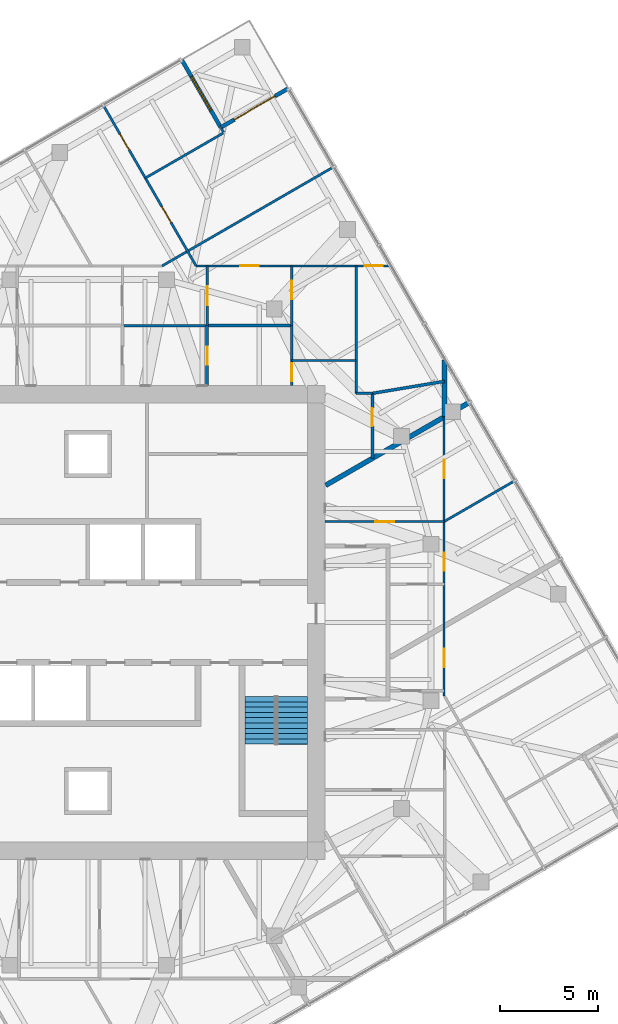
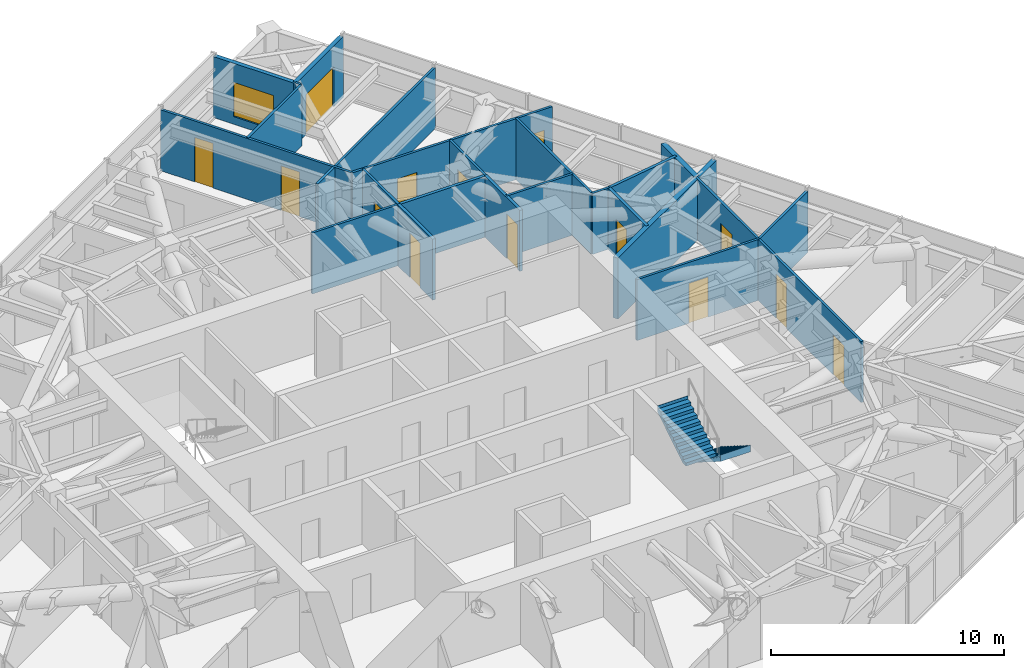
# One storey, part 14 of 16: 23 walls, 14 doors, 2 stair flights, 1 window, 15 openings, 1 element without a shape of its own.
"""IFC4 building model written with IfcOpenShell, lengths in metres."""

from ifc_helpers import new_model, si_unit, direction, frame, frame_2d, origin, place, context, subcontext, project, spatial, polyline, rectangle, outline, extrude, material, layer, layer_set, type_object, element, fill, aggregate, save


model = new_model("IFC4")

# Units and contexts
model_context = context("Model", 3, precision=1e-05, world=origin(), true_north=direction((0.0, 1.0)))
body_context = subcontext(model_context, "Body", "Model", "MODEL_VIEW")
ifc_project = project(units=[si_unit("LENGTHUNIT", "METRE"), si_unit("AREAUNIT", "SQUARE_METRE"), si_unit("VOLUMEUNIT", "CUBIC_METRE"), si_unit("PLANEANGLEUNIT", "RADIAN"), si_unit("MASSUNIT", "GRAM", prefix="KILO")], contexts=[model_context])

# Site, building, storey
site_placement = place(None, origin())
site = spatial("IfcSite", under=ifc_project, at=site_placement, CompositionType="ELEMENT")
building_placement = place(site_placement, origin())
building = spatial("IfcBuilding", under=site, at=building_placement, Name="Torsade Residences", CompositionType="ELEMENT")
storey_placement = place(building_placement, frame((0.0, 0.0, 232.0)))
storey = spatial("IfcBuildingStorey", under=building, at=storey_placement, Name="L64", CompositionType="ELEMENT", Elevation=232.0)

# Wall, openings, doors
ifc_material_1 = material(Name="Plasterboard on steel stud", Category="steel")
ifc_layer_1 = layer(ifc_material_1, 0.1201171875)
ifc_layer_set_1 = layer_set([ifc_layer_1], Name="Plasterboard on steel stud")
wall_type_1 = type_object("IfcWallType", Name="PARTITION 120", PredefinedType="PARTITIONING", material=ifc_layer_set_1)
wall_1_placement = place(storey_placement, frame((58.170654296875, 40.49072265625, 0.0), z_axis=(0.0, 0.0, 1.0), x_axis=(-5.1455328e-05, -0.999999998676, 0.0)))
wall_1 = element("IfcWall", 1, at=wall_1_placement, inside=storey, type_object=wall_type_1, Name="Partition L64", PredefinedType="PARTITIONING", context=body_context, shape_type="SweptSolid", body=[
    extrude(rectangle(XDim=14.234130859375, YDim=0.1201171875, at=frame_2d((7.1171875, 0.0))), origin(), (0.0, 0.0, 1.0), 3.199951171875),
])
opening_1_placement = place(wall_1_placement, frame((6.931640625, 0.0, 0.0)))
opening_1 = element("IfcOpeningElement", 2, at=opening_1_placement, cuts=wall_1, Name="Opening D02", PredefinedType="OPENING", context=body_context, shape_type="SweptSolid", body=[
    extrude(rectangle(XDim=0.919921875, YDim=2.340087890625, at=frame_2d((0.4599609375, 1.169921875))), frame((0.0, 0.070068359375, 0.0), z_axis=(0.0, -1.0, 0.0), x_axis=(1.0, 0.0, 0.0)), (0.0, 0.0, 1.0), 0.14013671875),
])
opening_2_placement = place(wall_1_placement, frame((11.82861328125, 0.0, 0.0)))
opening_2 = element("IfcOpeningElement", 3, at=opening_2_placement, cuts=wall_1, Name="Opening D05", PredefinedType="OPENING", context=body_context, shape_type="SweptSolid", body=[
    extrude(rectangle(XDim=0.9599609375, YDim=2.10009765625, at=frame_2d((0.47998046875, 1.050048828125))), frame((0.0, 0.070068359375, 0.0), z_axis=(0.0, -1.0, 0.0), x_axis=(1.0, 0.0, 0.0)), (0.0, 0.0, 1.0), 0.14013671875),
])
opening_3_placement = place(wall_1_placement, frame((2.173828125, 0.0, 0.0)))
opening_3 = element("IfcOpeningElement", 4, at=opening_3_placement, cuts=wall_1, Name="Opening D05", PredefinedType="OPENING", context=body_context, shape_type="SweptSolid", body=[
    extrude(rectangle(XDim=0.9599609375, YDim=2.10009765625, at=frame_2d((0.47998046875, 1.050048828125))), frame((0.0, 0.070068359375, 0.0), z_axis=(0.0, -1.0, 0.0), x_axis=(1.0, 0.0, 0.0)), (0.0, 0.0, 1.0), 0.14013671875),
])
ifc_material_2 = material(Name="Hollow-core timber door in a steel cavity frame", Category="steel")
door_type_1 = type_object("IfcDoorType", Name="BATHROOM CAVITY SLIDING DOOR 960", OperationType="SLIDING_TO_LEFT", PredefinedType="DOOR", material=ifc_material_2)
door_1_placement = place(opening_2_placement, origin())
door_1 = element("IfcDoor", 5, at=door_1_placement, inside=storey, type_object=door_type_1, Name="Door Bathroom to Bedroom 1", OperationType="SLIDING_TO_LEFT", OverallHeight=2.10009765625, OverallWidth=0.9599609375, PredefinedType="DOOR", context=body_context, shape_type="SweptSolid", body=[
    extrude(rectangle(XDim=0.9599609375, YDim=2.10009765625, at=frame_2d((0.47998046875, 1.050048828125))), frame((0.0, 0.02490234375, 0.0), z_axis=(0.0, -1.0, 0.0), x_axis=(1.0, 0.0, 0.0)), (0.0, 0.0, 1.0), 0.050048828125),
])
fill(opening_2, door_1)
door_2_placement = place(opening_3_placement, origin())
door_2 = element("IfcDoor", 6, at=door_2_placement, inside=storey, type_object=door_type_1, Name="Door Ensuite to Bedroom 1", OperationType="SLIDING_TO_LEFT", OverallHeight=2.10009765625, OverallWidth=0.9599609375, PredefinedType="DOOR", context=body_context, shape_type="SweptSolid", body=[
    extrude(rectangle(XDim=0.9599609375, YDim=2.10009765625, at=frame_2d((0.47998046875, 1.050048828125))), frame((0.0, 0.02490234375, 0.0), z_axis=(0.0, -1.0, 0.0), x_axis=(1.0, 0.0, 0.0)), (0.0, 0.0, 1.0), 0.050048828125),
])
fill(opening_3, door_2)
ifc_material_3 = material(Name="Hollow-core timber door", Category="wood")
door_type_2 = type_object("IfcDoorType", Name="INTERNAL DOOR 920x2340", OperationType="NOTDEFINED", PredefinedType="DOOR", material=ifc_material_3)
door_3_placement = place(opening_1_placement, origin())
door_3 = element("IfcDoor", 7, at=door_3_placement, inside=storey, type_object=door_type_2, Name="Door Kitchen and dining to Living room", OperationType="SINGLE_SWING_LEFT", OverallHeight=2.340087890625, OverallWidth=0.919921875, PredefinedType="DOOR", context=body_context, shape_type="SweptSolid", body=[
    extrude(rectangle(XDim=0.919921875, YDim=2.340087890625, at=frame_2d((0.4599609375, 1.169921875))), frame((0.0, 0.02490234375, 0.0), z_axis=(0.0, -1.0, 0.0), x_axis=(1.0, 0.0, 0.0)), (0.0, 0.0, 1.0), 0.050048828125),
])
fill(opening_1, door_3)

# Wall, opening, door
wall_2_placement = place(storey_placement, frame((52.10009765625, 35.1533203125, 0.0), z_axis=(0.0, 0.0, 1.0), x_axis=(1.0, 0.0, 0.0)))
wall_2 = element("IfcWall", 8, at=wall_2_placement, inside=storey, type_object=wall_type_1, Name="Partition L64", PredefinedType="PARTITIONING", context=body_context, shape_type="SweptSolid", body=[
    extrude(rectangle(XDim=6.099853515625, YDim=0.1201171875, at=frame_2d((3.0498046875, 0.0))), origin(), (0.0, 0.0, 1.0), 3.199951171875),
])
opening_4_placement = place(wall_2_placement, frame((2.570068359375, 0.0, 0.0)))
opening_4 = element("IfcOpeningElement", 9, at=opening_4_placement, cuts=wall_2, Name="Opening D05", PredefinedType="OPENING", context=body_context, shape_type="SweptSolid", body=[
    extrude(rectangle(XDim=0.9599609375, YDim=2.10009765625, at=frame_2d((0.47998046875, 1.050048828125))), frame((0.0, 0.070068359375, 0.0), z_axis=(0.0, -1.0, 0.0), x_axis=(1.0, 0.0, 0.0)), (0.0, 0.0, 1.0), 0.14013671875),
])
door_4_placement = place(opening_4_placement, origin())
door_4 = element("IfcDoor", 10, at=door_4_placement, inside=storey, type_object=door_type_1, Name="Door Kitchen and dining to Ensuite", OperationType="SLIDING_TO_LEFT", OverallHeight=2.10009765625, OverallWidth=0.9599609375, PredefinedType="DOOR", context=body_context, shape_type="SweptSolid", body=[
    extrude(rectangle(XDim=0.9599609375, YDim=2.10009765625, at=frame_2d((0.47998046875, 1.050048828125))), frame((0.0, 0.02490234375, 0.0), z_axis=(0.0, -1.0, 0.0), x_axis=(1.0, 0.0, 0.0)), (0.0, 0.0, 1.0), 0.050048828125),
])
fill(opening_4, door_4)

# Walls
wall_3_placement = place(storey_placement, frame((58.199951171875, 35.167236328125, 0.0), z_axis=(0.0, 0.0, 1.0), x_axis=(0.866025520146, 0.499999798456, 0.0)))
element("IfcWall", 11, at=wall_3_placement, inside=storey, type_object=wall_type_1, Name="Partition L64", PredefinedType="PARTITIONING", context=body_context, shape_type="SweptSolid", body=[
    extrude(rectangle(XDim=4.11474609375, YDim=0.1201171875, at=frame_2d((2.057373046875, 0.0))), origin(), (0.0, 0.0, 1.0), 3.199951171875),
])
wall_4_placement = place(storey_placement, frame((46.07421875, 45.14990234375, 0.0), z_axis=(0.0, 0.0, 1.0), x_axis=(-1.0, 0.0, 0.0)))
element("IfcWall", 12, at=wall_4_placement, inside=storey, type_object=wall_type_1, Name="Partition L64", PredefinedType="PARTITIONING", context=body_context, shape_type="SweptSolid", body=[
    extrude(rectangle(XDim=4.32080078125, YDim=0.1201171875, at=frame_2d((2.160400390625, 0.0))), origin(), (0.0, 0.0, 1.0), 3.199951171875),
])

# Wall, opening, door
wall_5_placement = place(storey_placement, frame((46.07421875, 48.199951171875, 0.0), z_axis=(0.0, 0.0, 1.0), x_axis=(0.0, -1.0, 0.0)))
wall_5 = element("IfcWall", 13, at=wall_5_placement, inside=storey, type_object=wall_type_1, Name="Partition L64", PredefinedType="PARTITIONING", context=body_context, shape_type="SweptSolid", body=[
    extrude(rectangle(XDim=3.050048828125, YDim=0.1201171875, at=frame_2d((1.52490234375, 0.0))), origin(), (0.0, 0.0, 1.0), 3.199951171875),
])
opening_5_placement = place(wall_5_placement, frame((1.044921875, 0.0, 0.0)))
opening_5 = element("IfcOpeningElement", 14, at=opening_5_placement, cuts=wall_5, Name="Opening D05", PredefinedType="OPENING", context=body_context, shape_type="SweptSolid", body=[
    extrude(rectangle(XDim=0.9599609375, YDim=2.10009765625, at=frame_2d((0.47998046875, 1.050048828125))), frame((0.0, 0.070068359375, 0.0), z_axis=(0.0, -1.0, 0.0), x_axis=(1.0, 0.0, 0.0)), (0.0, 0.0, 1.0), 0.14013671875),
])
door_5_placement = place(opening_5_placement, origin())
door_5 = element("IfcDoor", 15, at=door_5_placement, inside=storey, type_object=door_type_1, Name="Door Ensuite to WC 3", OperationType="SLIDING_TO_LEFT", OverallHeight=2.10009765625, OverallWidth=0.9599609375, PredefinedType="DOOR", context=body_context, shape_type="SweptSolid", body=[
    extrude(rectangle(XDim=0.9599609375, YDim=2.10009765625, at=frame_2d((0.47998046875, 1.050048828125))), frame((0.0, 0.02490234375, 0.0), z_axis=(0.0, -1.0, 0.0), x_axis=(1.0, 0.0, 0.0)), (0.0, 0.0, 1.0), 0.050048828125),
])
fill(opening_5, door_5)

# Wall
wall_6_placement = place(storey_placement, frame((43.7734375, 48.199951171875, 0.0), z_axis=(0.0, 0.0, 1.0), x_axis=(0.866020818659, 0.500007941587, 0.0)))
element("IfcWall", 16, at=wall_6_placement, inside=storey, type_object=wall_type_1, Name="Partition L64", PredefinedType="PARTITIONING", context=body_context, shape_type="SweptSolid", body=[
    extrude(rectangle(XDim=10.092041015625, YDim=0.1201171875, at=frame_2d((5.0458984375, 0.0))), origin(), (0.0, 0.0, 1.0), 3.199951171875),
])

# Wall, openings, doors
wall_7_placement = place(storey_placement, frame((40.7861328125, 56.388427734375, 0.0), z_axis=(0.0, 0.0, 1.0), x_axis=(0.49999364752, -0.86602907136, 0.0)))
wall_7 = element("IfcWall", 17, at=wall_7_placement, inside=storey, type_object=wall_type_1, Name="Partition L64", PredefinedType="PARTITIONING", context=body_context, shape_type="SweptSolid", body=[
    extrude(rectangle(XDim=9.455078125, YDim=0.1201171875, at=frame_2d((4.7275390625, 0.0))), origin(), (0.0, 0.0, 1.0), 3.199951171875),
])
opening_6_placement = place(wall_7_placement, frame((1.681396484375, 0.0, 0.0)))
opening_6 = element("IfcOpeningElement", 18, at=opening_6_placement, cuts=wall_7, Name="Opening D02", PredefinedType="OPENING", context=body_context, shape_type="SweptSolid", body=[
    extrude(rectangle(XDim=0.919921875, YDim=2.340087890625, at=frame_2d((0.4599609375, 1.169921875))), frame((0.0, 0.070068359375, 0.0), z_axis=(0.0, -1.0, 0.0), x_axis=(1.0, 0.0, 0.0)), (0.0, 0.0, 1.0), 0.14013671875),
])
opening_7_placement = place(wall_7_placement, frame((5.96875, 0.0, 0.0)))
opening_7 = element("IfcOpeningElement", 19, at=opening_7_placement, cuts=wall_7, Name="Opening D02", PredefinedType="OPENING", context=body_context, shape_type="SweptSolid", body=[
    extrude(rectangle(XDim=0.919921875, YDim=2.340087890625, at=frame_2d((0.4599609375, 1.169921875))), frame((0.0, 0.070068359375, 0.0), z_axis=(0.0, -1.0, 0.0), x_axis=(1.0, 0.0, 0.0)), (0.0, 0.0, 1.0), 0.14013671875),
])
door_6_placement = place(opening_6_placement, origin())
door_6 = element("IfcDoor", 20, at=door_6_placement, inside=storey, type_object=door_type_2, Name="Door Study 2 to Study 4", OperationType="SINGLE_SWING_RIGHT", OverallHeight=2.340087890625, OverallWidth=0.919921875, PredefinedType="DOOR", context=body_context, shape_type="SweptSolid", body=[
    extrude(rectangle(XDim=0.919921875, YDim=2.340087890625, at=frame_2d((0.4599609375, 1.169921875))), frame((0.0, 0.02490234375, 0.0), z_axis=(0.0, -1.0, 0.0), x_axis=(1.0, 0.0, 0.0)), (0.0, 0.0, 1.0), 0.050048828125),
])
fill(opening_6, door_6)
door_7_placement = place(opening_7_placement, origin())
door_7 = element("IfcDoor", 21, at=door_7_placement, inside=storey, type_object=door_type_2, Name="Door Study 2 to Bedroom 1", OperationType="SINGLE_SWING_LEFT", OverallHeight=2.340087890625, OverallWidth=0.919921875, PredefinedType="DOOR", context=body_context, shape_type="SweptSolid", body=[
    extrude(rectangle(XDim=0.919921875, YDim=2.340087890625, at=frame_2d((0.4599609375, 1.169921875))), frame((0.0, 0.02490234375, 0.0), z_axis=(0.0, -1.0, 0.0), x_axis=(1.0, 0.0, 0.0)), (0.0, 0.0, 1.0), 0.050048828125),
])
fill(opening_7, door_7)

wall_8_placement = place(storey_placement, frame((45.513671875, 48.199951171875, 0.0), z_axis=(0.0, 0.0, 1.0), x_axis=(1.0, 0.0, 0.0)))
wall_8 = element("IfcWall", 22, at=wall_8_placement, inside=storey, type_object=wall_type_1, Name="Partition L64", PredefinedType="PARTITIONING", context=body_context, shape_type="SweptSolid", body=[
    extrude(rectangle(XDim=9.9130859375, YDim=0.1201171875, at=frame_2d((4.95654296875, 0.0))), origin(), (0.0, 0.0, 1.0), 3.199951171875),
])
opening_8_placement = place(wall_8_placement, frame((2.24072265625, 0.0, 0.0)))
opening_8 = element("IfcOpeningElement", 23, at=opening_8_placement, cuts=wall_8, Name="Opening D05", PredefinedType="OPENING", context=body_context, shape_type="SweptSolid", body=[
    extrude(rectangle(XDim=0.9599609375, YDim=2.10009765625, at=frame_2d((0.47998046875, 1.050048828125))), frame((0.0, 0.070068359375, 0.0), z_axis=(0.0, -1.0, 0.0), x_axis=(1.0, 0.0, 0.0)), (0.0, 0.0, 1.0), 0.14013671875),
])
opening_9_placement = place(wall_8_placement, frame((8.602783203125, 0.0, 0.0)))
opening_9 = element("IfcOpeningElement", 24, at=opening_9_placement, cuts=wall_8, Name="Opening D02L", PredefinedType="OPENING", context=body_context, shape_type="SweptSolid", body=[
    extrude(rectangle(XDim=0.919921875, YDim=2.10009765625, at=frame_2d((0.4599609375, 1.050048828125))), frame((0.0, 0.070068359375, 0.0), z_axis=(0.0, -1.0, 0.0), x_axis=(1.0, 0.0, 0.0)), (0.0, 0.0, 1.0), 0.14013671875),
])
door_8_placement = place(opening_8_placement, origin())
door_8 = element("IfcDoor", 25, at=door_8_placement, inside=storey, type_object=door_type_1, Name="Door WC 3 to Dining room", OperationType="SLIDING_TO_LEFT", OverallHeight=2.10009765625, OverallWidth=0.9599609375, PredefinedType="DOOR", context=body_context, shape_type="SweptSolid", body=[
    extrude(rectangle(XDim=0.9599609375, YDim=2.10009765625, at=frame_2d((0.47998046875, 1.050048828125))), frame((0.0, 0.02490234375, 0.0), z_axis=(0.0, -1.0, 0.0), x_axis=(1.0, 0.0, 0.0)), (0.0, 0.0, 1.0), 0.050048828125),
])
fill(opening_8, door_8)
ifc_material_4 = material(Name="Hollow-core timber door", Category="wood")
door_type_3 = type_object("IfcDoorType", Name="INTERNAL DOOR 920x2100", OperationType="NOTDEFINED", PredefinedType="DOOR", material=ifc_material_4)
door_9_placement = place(opening_9_placement, origin())
door_9 = element("IfcDoor", 26, at=door_9_placement, inside=storey, type_object=door_type_3, Name="Door Dining room to Dressing room 4", OperationType="SINGLE_SWING_LEFT", OverallHeight=2.10009765625, OverallWidth=0.919921875, PredefinedType="DOOR", context=body_context, shape_type="SweptSolid", body=[
    extrude(rectangle(XDim=0.919921875, YDim=2.10009765625, at=frame_2d((0.4599609375, 1.050048828125))), frame((0.0, 0.02490234375, 0.0), z_axis=(0.0, -1.0, 0.0), x_axis=(1.0, 0.0, 0.0)), (0.0, 0.0, 1.0), 0.050048828125),
])
fill(opening_9, door_9)

# Wall, opening, door
wall_9_placement = place(storey_placement, frame((50.394775390625, 48.199951171875, 0.0), z_axis=(0.0, 0.0, 1.0), x_axis=(0.0, -1.0, 0.0)))
wall_9 = element("IfcWall", 27, at=wall_9_placement, inside=storey, type_object=wall_type_1, Name="Partition L64", PredefinedType="PARTITIONING", context=body_context, shape_type="SweptSolid", body=[
    extrude(rectangle(XDim=3.050048828125, YDim=0.1201171875, at=frame_2d((1.52490234375, 0.0))), origin(), (0.0, 0.0, 1.0), 3.199951171875),
])
opening_10_placement = place(wall_9_placement, frame((0.7451171875, 0.0, 0.0)))
opening_10 = element("IfcOpeningElement", 28, at=opening_10_placement, cuts=wall_9, Name="Opening D05", PredefinedType="OPENING", context=body_context, shape_type="SweptSolid", body=[
    extrude(rectangle(XDim=0.9599609375, YDim=2.10009765625, at=frame_2d((0.47998046875, 1.050048828125))), frame((0.0, 0.070068359375, 0.0), z_axis=(0.0, -1.0, 0.0), x_axis=(1.0, 0.0, 0.0)), (0.0, 0.0, 1.0), 0.14013671875),
])
door_10_placement = place(opening_10_placement, origin())
door_10 = element("IfcDoor", 29, at=door_10_placement, inside=storey, type_object=door_type_1, Name="Door WC 3 to WC 4", OperationType="SLIDING_TO_LEFT", OverallHeight=2.10009765625, OverallWidth=0.9599609375, PredefinedType="DOOR", context=body_context, shape_type="SweptSolid", body=[
    extrude(rectangle(XDim=0.9599609375, YDim=2.10009765625, at=frame_2d((0.47998046875, 1.050048828125))), frame((0.0, 0.02490234375, 0.0), z_axis=(0.0, -1.0, 0.0), x_axis=(1.0, 0.0, 0.0)), (0.0, 0.0, 1.0), 0.050048828125),
])
fill(opening_10, door_10)

# Walls
wall_10_placement = place(storey_placement, frame((53.6796875, 41.698486328125, 0.0), z_axis=(0.0, 0.0, 1.0), x_axis=(0.0, 1.0, 0.0)))
element("IfcWall", 30, at=wall_10_placement, inside=storey, type_object=wall_type_1, Name="Partition L64", PredefinedType="PARTITIONING", context=body_context, shape_type="SweptSolid", body=[
    extrude(rectangle(XDim=6.50146484375, YDim=0.1201171875, at=frame_2d((3.250732421875, 0.0))), origin(), (0.0, 0.0, 1.0), 3.199951171875),
])
wall_11_placement = place(storey_placement, frame((54.51171875, 41.698486328125, 0.0), z_axis=(0.0, 0.0, 1.0), x_axis=(-1.0, 0.0, 0.0)))
element("IfcWall", 31, at=wall_11_placement, inside=storey, type_object=wall_type_1, Name="Partition L64", PredefinedType="PARTITIONING", context=body_context, shape_type="SweptSolid", body=[
    extrude(rectangle(XDim=0.83203125, YDim=0.1201171875, at=frame_2d((0.416015625, 0.0))), origin(), (0.0, 0.0, 1.0), 3.199951171875),
])
wall_12_placement = place(storey_placement, frame((53.6796875, 43.3759765625, 0.0), z_axis=(0.0, 0.0, 1.0), x_axis=(-1.0, 0.0, 0.0)))
element("IfcWall", 32, at=wall_12_placement, inside=storey, type_object=wall_type_1, Name="Partition L64", PredefinedType="PARTITIONING", context=body_context, shape_type="SweptSolid", body=[
    extrude(rectangle(XDim=3.284912109375, YDim=0.1201171875, at=frame_2d((1.642578125, 0.0))), origin(), (0.0, 0.0, 1.0), 3.199951171875),
])
wall_13_placement = place(storey_placement, frame((42.922119140625, 52.688232421875, 0.0), z_axis=(0.0, 0.0, 1.0), x_axis=(0.866034300541, 0.499984590049, 0.0)))
element("IfcWall", 33, at=wall_13_placement, inside=storey, type_object=wall_type_1, Name="Partition L64", PredefinedType="PARTITIONING", context=body_context, shape_type="SweptSolid", body=[
    extrude(rectangle(XDim=4.595458984375, YDim=0.1201171875, at=frame_2d((2.2978515625, 0.0))), origin(), (0.0, 0.0, 1.0), 3.199951171875),
])
wall_14_placement = place(storey_placement, frame((46.9140625, 55.024169921875, 0.0), z_axis=(0.0, 0.0, 1.0), x_axis=(-0.499349249257, 0.86640078905, 0.0)))
element("IfcWall", 34, at=wall_14_placement, inside=storey, type_object=wall_type_1, Name="Partition L64", PredefinedType="PARTITIONING", context=body_context, shape_type="SweptSolid", body=[
    extrude(rectangle(XDim=0.245361328125, YDim=0.1201171875, at=frame_2d((0.12255859375, 0.0))), origin(), (0.0, 0.0, 1.0), 3.199951171875),
])
ifc_material_5 = material(Name="Masonry-lined stud party wall", Category="masonry")
ifc_layer_2 = layer(ifc_material_5, 0.25)
ifc_layer_set_2 = layer_set([ifc_layer_2], Name="Masonry-lined stud party wall")
wall_type_2 = type_object("IfcWallType", Name="PARTY WALL 250", PredefinedType="PARTITIONING", material=ifc_layer_set_2)
wall_15_placement = place(storey_placement, frame((59.485595703125, 41.25, 0.0), z_axis=(0.0, 0.0, 1.0), x_axis=(-0.866020489494, -0.500008511703, 0.0)))
element("IfcWall", 35, at=wall_15_placement, inside=storey, type_object=wall_type_2, Name="Party wall L64", PredefinedType="PARTITIONING", context=body_context, shape_type="SweptSolid", body=[
    extrude(rectangle(XDim=8.495849609375, YDim=0.25, at=frame_2d((4.248046875, 0.0))), origin(), (0.0, 0.0, 1.0), 3.199951171875),
])
wall_16_placement = place(storey_placement, frame((58.199951171875, 40.525146484375, 0.0), z_axis=(0.0, 0.0, 1.0), x_axis=(0.0, 1.0, 0.0)))
element("IfcWall", 36, at=wall_16_placement, inside=storey, type_object=wall_type_2, Name="Party wall L64", PredefinedType="PARTITIONING", context=body_context, shape_type="SweptSolid", body=[
    extrude(rectangle(XDim=2.87158203125, YDim=0.25, at=frame_2d((1.435791015625, 0.0))), origin(), (0.0, 0.0, 1.0), 3.199951171875),
])

# Wall, opening, door
ifc_material_6 = material(Name="Reinforced blockwork", Category="masonry")
ifc_layer_3 = layer(ifc_material_6, 0.14990234375)
ifc_layer_set_3 = layer_set([ifc_layer_3], Name="Reinforced blockwork")
wall_type_3 = type_object("IfcWallType", Name="SERVICE ROOM WALL 150", PredefinedType="SOLIDWALL", material=ifc_layer_set_3)
wall_17_placement = place(storey_placement, frame((46.07421875, 45.14990234375, 0.0), z_axis=(0.0, 0.0, 1.0), x_axis=(0.0, -1.0, 0.0)))
wall_17 = element("IfcWall", 37, at=wall_17_placement, inside=storey, type_object=wall_type_3, Name="Service room wall L64", PredefinedType="SOLIDWALL", context=body_context, shape_type="SweptSolid", body=[
    extrude(rectangle(XDim=3.0498046875, YDim=0.14990234375, at=frame_2d((1.52490234375, 0.0))), origin(), (0.0, 0.0, 1.0), 3.199951171875),
])
opening_11_placement = place(wall_17_placement, frame((1.06494140625, 0.0, 0.0)))
opening_11 = element("IfcOpeningElement", 38, at=opening_11_placement, cuts=wall_17, Name="Opening D02", PredefinedType="OPENING", context=body_context, shape_type="SweptSolid", body=[
    extrude(rectangle(XDim=0.919921875, YDim=2.340087890625, at=frame_2d((0.4599609375, 1.169921875))), frame((0.0, 0.0849609375, 0.0), z_axis=(0.0, -1.0, 0.0), x_axis=(1.0, 0.0, 0.0)), (0.0, 0.0, 1.0), 0.169921875),
])
door_11_placement = place(opening_11_placement, origin())
door_11 = element("IfcDoor", 39, at=door_11_placement, inside=storey, type_object=door_type_2, Name="Door Dressing room 3 to Linen store 2", OperationType="SINGLE_SWING_LEFT", OverallHeight=2.340087890625, OverallWidth=0.919921875, PredefinedType="DOOR", context=body_context, shape_type="SweptSolid", body=[
    extrude(rectangle(XDim=0.919921875, YDim=2.340087890625, at=frame_2d((0.4599609375, 1.169921875))), frame((0.0, 0.02490234375, 0.0), z_axis=(0.0, -1.0, 0.0), x_axis=(1.0, 0.0, 0.0)), (0.0, 0.0, 1.0), 0.050048828125),
])
fill(opening_11, door_11)

# Wall
wall_18_placement = place(storey_placement, frame((50.394775390625, 45.14990234375, 0.0), z_axis=(0.0, 0.0, 1.0), x_axis=(-1.0, 0.0, 0.0)))
element("IfcWall", 40, at=wall_18_placement, inside=storey, type_object=wall_type_3, Name="Service room wall L64", PredefinedType="SOLIDWALL", context=body_context, shape_type="SweptSolid", body=[
    extrude(rectangle(XDim=4.320556640625, YDim=0.14990234375, at=frame_2d((2.16015625, 0.0))), origin(), (0.0, 0.0, 1.0), 3.199951171875),
])

# Wall, opening, door
wall_19_placement = place(storey_placement, frame((50.394775390625, 45.14990234375, 0.0), z_axis=(0.0, 0.0, 1.0), x_axis=(0.0, -1.0, 0.0)))
wall_19 = element("IfcWall", 41, at=wall_19_placement, inside=storey, type_object=wall_type_3, Name="Service room wall L64", PredefinedType="SOLIDWALL", context=body_context, shape_type="SweptSolid", body=[
    extrude(rectangle(XDim=3.0498046875, YDim=0.14990234375, at=frame_2d((1.52490234375, 0.0))), origin(), (0.0, 0.0, 1.0), 3.199951171875),
])
opening_12_placement = place(wall_19_placement, frame((1.927001953125, 0.0, 0.0)))
opening_12 = element("IfcOpeningElement", 42, at=opening_12_placement, cuts=wall_19, Name="Opening D02", PredefinedType="OPENING", context=body_context, shape_type="SweptSolid", body=[
    extrude(rectangle(XDim=0.919921875, YDim=2.340087890625, at=frame_2d((0.4599609375, 1.169921875))), frame((0.0, 0.0849609375, 0.0), z_axis=(0.0, -1.0, 0.0), x_axis=(1.0, 0.0, 0.0)), (0.0, 0.0, 1.0), 0.169921875),
])
door_12_placement = place(opening_12_placement, origin())
door_12 = element("IfcDoor", 43, at=door_12_placement, inside=storey, type_object=door_type_2, Name="Door Linen store 2 to Dressing room 5", OperationType="SINGLE_SWING_LEFT", OverallHeight=2.340087890625, OverallWidth=0.919921875, PredefinedType="DOOR", context=body_context, shape_type="SweptSolid", body=[
    extrude(rectangle(XDim=0.919921875, YDim=2.340087890625, at=frame_2d((0.4599609375, 1.169921875))), frame((0.0, 0.02490234375, 0.0), z_axis=(0.0, -1.0, 0.0), x_axis=(1.0, 0.0, 0.0)), (0.0, 0.0, 1.0), 0.050048828125),
])
fill(opening_12, door_12)

# Wall
wall_20_placement = place(storey_placement, frame((58.199951171875, 42.3125, 0.0), z_axis=(0.0, 0.0, 1.0), x_axis=(-0.986423908189, -0.164218979883, 0.0)))
element("IfcWall", 44, at=wall_20_placement, inside=storey, type_object=wall_type_3, Name="Service room wall L64", PredefinedType="SOLIDWALL", context=body_context, shape_type="SweptSolid", body=[
    extrude(rectangle(XDim=3.739013671875, YDim=0.14990234375, at=frame_2d((1.86962890625, 0.0))), origin(), (0.0, 0.0, 1.0), 3.199951171875),
])

# Wall, opening, door
wall_21_placement = place(storey_placement, frame((54.51171875, 41.698486328125, 0.0), z_axis=(0.0, 0.0, 1.0), x_axis=(0.0, -1.0, 0.0)))
wall_21 = element("IfcWall", 45, at=wall_21_placement, inside=storey, type_object=wall_type_3, Name="Service room wall L64", PredefinedType="SOLIDWALL", context=body_context, shape_type="SweptSolid", body=[
    extrude(rectangle(XDim=3.320068359375, YDim=0.14990234375, at=frame_2d((1.66015625, 0.0))), origin(), (0.0, 0.0, 1.0), 3.199951171875),
])
opening_13_placement = place(wall_21_placement, frame((0.75, 0.0, 0.0)))
opening_13 = element("IfcOpeningElement", 46, at=opening_13_placement, cuts=wall_21, Name="Opening D02N", PredefinedType="OPENING", context=body_context, shape_type="SweptSolid", body=[
    extrude(rectangle(XDim=0.919921875, YDim=2.0, at=frame_2d((0.4599609375, 1.0))), frame((0.0, 0.0849609375, 0.0), z_axis=(0.0, -1.0, 0.0), x_axis=(1.0, 0.0, 0.0)), (0.0, 0.0, 1.0), 0.169921875),
])
ifc_material_7 = material(Name="Hollow-core timber door", Category="wood")
door_type_4 = type_object("IfcDoorType", Name="INTERNAL DOOR 920x2000", OperationType="NOTDEFINED", PredefinedType="DOOR", material=ifc_material_7)
door_13_placement = place(opening_13_placement, origin())
door_13 = element("IfcDoor", 47, at=door_13_placement, inside=storey, type_object=door_type_4, Name="Door Dressing room 5 to Linen store 6", OperationType="SINGLE_SWING_LEFT", OverallHeight=2.0, OverallWidth=0.919921875, PredefinedType="DOOR", context=body_context, shape_type="SweptSolid", body=[
    extrude(rectangle(XDim=0.919921875, YDim=2.0, at=frame_2d((0.4599609375, 1.0))), frame((0.0, 0.02490234375, 0.0), z_axis=(0.0, -1.0, 0.0), x_axis=(1.0, 0.0, 0.0)), (0.0, 0.0, 1.0), 0.050048828125),
])
fill(opening_13, door_13)

ifc_material_8 = material(Name="Stone-faced precast concrete 40 MPa panel", Category="masonry")
ifc_layer_4 = layer(ifc_material_8, 0.199951171875)
ifc_layer_set_4 = layer_set([ifc_layer_4], Name="Stone-faced precast concrete 40 MPa panel")
wall_type_4 = type_object("IfcWallType", Name="TERRACE WALL 200", PredefinedType="SOLIDWALL", material=ifc_layer_set_4)
wall_22_placement = place(storey_placement, frame((50.235595703125, 57.271484375, 0.0), z_axis=(0.0, 0.0, 1.0), x_axis=(-0.866026010844, -0.49999894854, 0.0)))
wall_22 = element("IfcWall", 48, at=wall_22_placement, inside=storey, type_object=wall_type_4, Name="Terrace wall L64 5", PredefinedType="SOLIDWALL", context=body_context, shape_type="SweptSolid", body=[
    extrude(rectangle(XDim=4.0, YDim=0.199951171875, at=frame_2d((2.0, 0.0))), origin(), (0.0, 0.0, 1.0), 3.199951171875),
])
opening_14_placement = place(wall_22_placement, frame((0.800048828125, 0.0, 0.0)))
opening_14 = element("IfcOpeningElement", 49, at=opening_14_placement, cuts=wall_22, Name="Opening D10A", PredefinedType="OPENING", context=body_context, shape_type="SweptSolid", body=[
    extrude(rectangle(XDim=2.39990234375, YDim=2.10009765625, at=frame_2d((1.199951171875, 1.050048828125))), frame((0.0, 0.10986328125, 0.0), z_axis=(0.0, -1.0, 0.0), x_axis=(1.0, 0.0, 0.0)), (0.0, 0.0, 1.0), 0.219970703125),
])
ifc_material_9 = material(Name="Aluminium-framed glass door", Category="aluminium")
door_type_5 = type_object("IfcDoorType", Name="TERRACE SLIDING DOOR 2400x2100", OperationType="SLIDING_TO_LEFT", PredefinedType="DOOR", material=ifc_material_9)
door_14_placement = place(opening_14_placement, origin())
door_14 = element("IfcDoor", 50, at=door_14_placement, inside=storey, type_object=door_type_5, Name="Terrace door L64 5", OperationType="SLIDING_TO_LEFT", OverallHeight=2.10009765625, OverallWidth=2.39990234375, PredefinedType="DOOR", context=body_context, shape_type="SweptSolid", body=[
    extrude(rectangle(XDim=2.39990234375, YDim=2.10009765625, at=frame_2d((1.199951171875, 1.050048828125))), frame((0.0, 0.02490234375, 0.0), z_axis=(0.0, -1.0, 0.0), x_axis=(1.0, 0.0, 0.0)), (0.0, 0.0, 1.0), 0.050048828125),
])
fill(opening_14, door_14)

# Wall, opening, window
wall_23_placement = place(storey_placement, frame((46.771484375, 55.271484375, 0.0), z_axis=(0.0, 0.0, 1.0), x_axis=(-0.49999894854, 0.866026010844, 0.0)))
wall_23 = element("IfcWall", 51, at=wall_23_placement, inside=storey, type_object=wall_type_4, Name="Terrace wall L64 6", PredefinedType="SOLIDWALL", context=body_context, shape_type="SweptSolid", body=[
    extrude(rectangle(XDim=4.0, YDim=0.199951171875, at=frame_2d((2.0, 0.0))), origin(), (0.0, 0.0, 1.0), 3.199951171875),
])
opening_15_placement = place(wall_23_placement, frame((1.0, 0.0, 0.39990234375)))
opening_15 = element("IfcOpeningElement", 52, at=opening_15_placement, cuts=wall_23, Name="Opening W1B", PredefinedType="OPENING", context=body_context, shape_type="SweptSolid", body=[
    extrude(rectangle(XDim=2.0, YDim=1.800048828125, at=frame_2d((1.0, 0.89990234375))), frame((0.0, 0.10986328125, 0.0), z_axis=(0.0, -1.0, 0.0), x_axis=(1.0, 0.0, 0.0)), (0.0, 0.0, 1.0), 0.219970703125),
])
ifc_material_10 = material(Name="Aluminium-framed glass window", Category="aluminium")
window_type = type_object("IfcWindowType", Name="TERRACE WINDOW 2000x1800", PartitioningType="SINGLE_PANEL", PredefinedType="WINDOW", material=ifc_material_10)
window_placement = place(opening_15_placement, origin())
window = element("IfcWindow", 53, at=window_placement, inside=storey, type_object=window_type, Name="Terrace window L64 6", OverallHeight=1.800048828125, OverallWidth=2.0, PartitioningType="SINGLE_PANEL", PredefinedType="WINDOW", context=body_context, shape_type="SweptSolid", body=[
    extrude(rectangle(XDim=2.0, YDim=1.800048828125, at=frame_2d((1.0, 0.89990234375))), frame((0.0, 0.030029296875, 0.0), z_axis=(0.0, -1.0, 0.0), x_axis=(1.0, 0.0, 0.0)), (0.0, 0.0, 1.0), 0.06005859375),
])
fill(opening_15, window)

# Stair, stair flights
ifc_material_11 = material(Name="Precast concrete 40 MPa", Category="concrete")
stair_type = type_object("IfcStairType", Name="HALF-TURN FIRE STAIR 1500x3400", PredefinedType="HALF_TURN_STAIR", material=ifc_material_11)
stair_placement = place(storey_placement, origin())
stair = element("IfcStair", 54, at=stair_placement, inside=storey, type_object=stair_type, Name="Stair ST2 L64", PredefinedType="HALF_TURN_STAIR")
ifc_material_12 = material(Name="Precast concrete 40 MPa", Category="concrete")
stair_flight_type = type_object("IfcStairFlightType", Name="PRECAST STAIR FLIGHT 1500x1700", PredefinedType="STRAIGHT", material=ifc_material_12)
stair_flight_1_placement = place(storey_placement, frame((50.449951171875, 26.219970703125, 0.0), z_axis=(0.0, 0.0, 1.0), x_axis=(0.0, -1.0, 0.0)))
stair_flight_1 = element("IfcStairFlight", 55, at=stair_flight_1_placement, type_object=stair_flight_type, Name="ST2 flight 1", NumberOfRisers=10, NumberOfTreads=9, PredefinedType="STRAIGHT", RiserHeight=0.17, TreadLength=0.27, context=body_context, shape_type="SweptSolid", body=[
    extrude(outline(polyline([(0.0, 0.0), (0.0, 0.169921875), (0.27001953125, 0.169921875), (0.27001953125, 0.340087890625), (0.5400390625, 0.340087890625), (0.5400390625, 0.510009765625), (0.81005859375, 0.510009765625), (0.81005859375, 0.679931640625), (1.080078125, 0.679931640625), (1.080078125, 0.85009765625), (1.35009765625, 0.85009765625), (1.35009765625, 1.02001953125), (1.6201171875, 1.02001953125), (1.6201171875, 1.18994140625), (1.889892578125, 1.18994140625), (1.889892578125, 1.360107421875), (2.159912109375, 1.360107421875), (2.159912109375, 1.530029296875), (2.429931640625, 1.530029296875), (2.429931640625, 1.699951171875), (2.43994140625, 1.699951171875), (2.43994140625, 1.352783203125), (2.429931640625, 1.352783203125), (0.28125, 0.0), (0.0, 0.0)])), frame((0.0, 0.75, 0.0), z_axis=(0.0, -1.0, 0.0), x_axis=(1.0, 0.0, 0.0)), (0.0, 0.0, 1.0), 1.5),
])
stair_flight_2_placement = place(storey_placement, frame((48.75, 23.7900390625, 1.699951171875), z_axis=(0.0, 0.0, 1.0), x_axis=(0.0, 1.0, 0.0)))
stair_flight_2 = element("IfcStairFlight", 56, at=stair_flight_2_placement, type_object=stair_flight_type, Name="ST2 flight 2", NumberOfRisers=10, NumberOfTreads=9, PredefinedType="STRAIGHT", RiserHeight=0.17, TreadLength=0.27, context=body_context, shape_type="SweptSolid", body=[
    extrude(outline(polyline([(0.0, 0.0), (0.0, 0.169921875), (0.27001953125, 0.169921875), (0.27001953125, 0.340087890625), (0.5400390625, 0.340087890625), (0.5400390625, 0.510009765625), (0.81005859375, 0.510009765625), (0.81005859375, 0.679931640625), (1.080078125, 0.679931640625), (1.080078125, 0.85009765625), (1.35009765625, 0.85009765625), (1.35009765625, 1.02001953125), (1.6201171875, 1.02001953125), (1.6201171875, 1.18994140625), (1.889892578125, 1.18994140625), (1.889892578125, 1.360107421875), (2.159912109375, 1.360107421875), (2.159912109375, 1.530029296875), (2.429931640625, 1.530029296875), (2.429931640625, 1.699951171875), (2.43994140625, 1.699951171875), (2.43994140625, 1.352783203125), (2.429931640625, 1.352783203125), (0.28125, 0.0), (0.0, 0.0)])), frame((0.0, 0.75, 0.0), z_axis=(0.0, -1.0, 0.0), x_axis=(1.0, 0.0, 0.0)), (0.0, 0.0, 1.0), 1.5),
])
aggregate(stair, [stair_flight_1, stair_flight_2])

save(model, "model.ifc")
